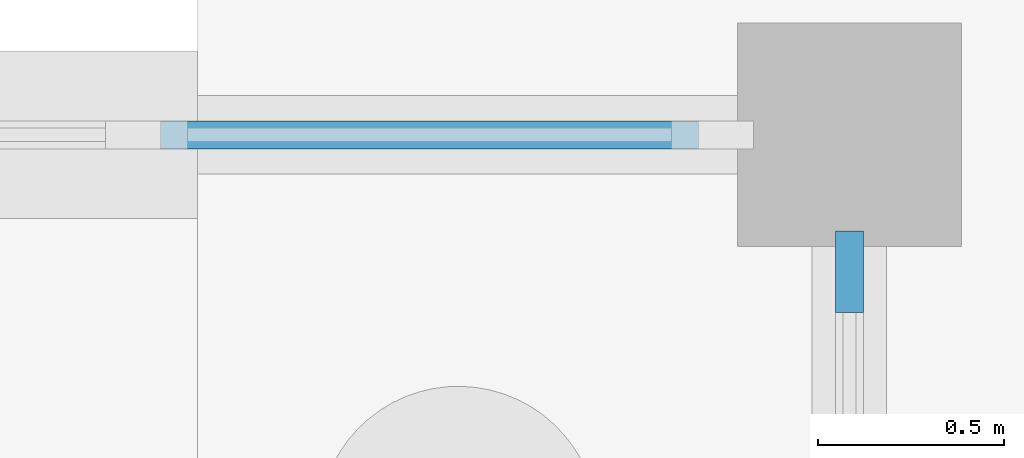
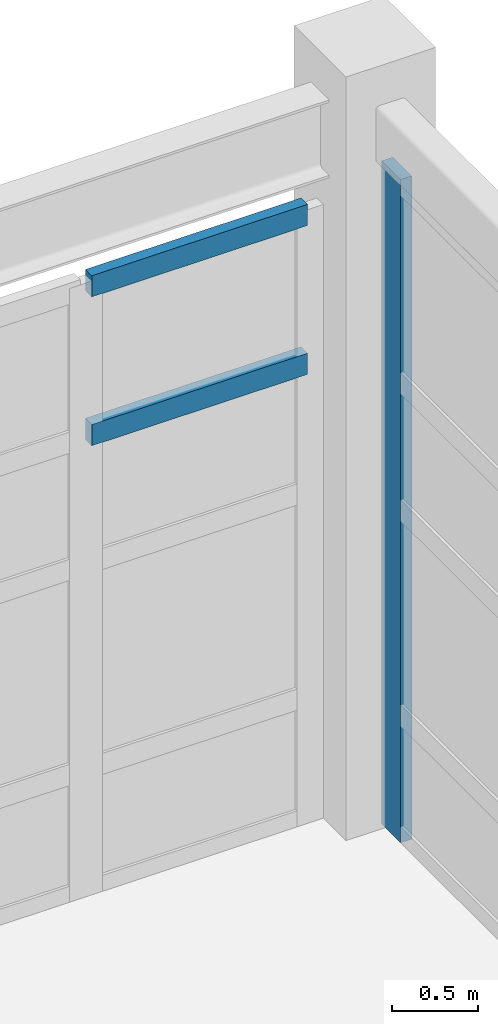
# One storey, part 78 of 145: 3 members, 2 elements without a shape of their own.
"""IFC4 building model written with IfcOpenShell, lengths in metres."""

from ifc_helpers import new_model, si_unit, direction, frame, origin, origin_2d, place, context, subcontext, project, spatial, rectangle, extrude, material, layer, layer_set, material_profile, profile_set, type_object, element, aggregate, save


model = new_model("IFC4")

# Units and contexts
model_context = context("Model", 3, precision=1e-05, world=origin(), true_north=direction((0.0, 1.0)))
body_context = subcontext(model_context, "Body", "Model", "MODEL_VIEW")
ifc_project = project(units=[si_unit("LENGTHUNIT", "METRE"), si_unit("AREAUNIT", "SQUARE_METRE"), si_unit("VOLUMEUNIT", "CUBIC_METRE"), si_unit("PLANEANGLEUNIT", "RADIAN"), si_unit("MASSUNIT", "GRAM", prefix="KILO"), si_unit("THERMODYNAMICTEMPERATUREUNIT", "KELVIN"), si_unit("POWERUNIT", "WATT")], contexts=[model_context])

# Site, building, storey
site_placement = place(None, origin())
site = spatial("IfcSite", under=ifc_project, at=site_placement, CompositionType="ELEMENT")
building_placement = place(site_placement, origin())
building = spatial("IfcBuilding", under=site, at=building_placement, Name="Korenveer Ferry Terminal", CompositionType="ELEMENT")
storey_placement = place(building_placement, origin())
storey = spatial("IfcBuildingStorey", under=building, at=storey_placement, Name="L00", CompositionType="ELEMENT", Elevation=0.0)

# Curtain wall, member
ifc_material_1 = material(Name="Unitised bronze-and-glass curtain wall", Category="glass")
ifc_layer_1 = layer(ifc_material_1, 0.219970703125)
ifc_layer_set_1 = layer_set([ifc_layer_1], Name="Unitised bronze-and-glass curtain wall")
curtain_wall_type_1 = type_object("IfcCurtainWallType", Name="ENV-CW-36", PredefinedType="USERDEFINED", material=ifc_layer_set_1)
curtain_wall_1_placement = place(storey_placement, frame((176.0, 79.669921875, 0.0)))
curtain_wall_1 = element("IfcCurtainWall", 1, at=curtain_wall_1_placement, inside=storey, type_object=curtain_wall_type_1, Name="Lancet curtain wall CWX-L00-X176-176-Y70-80", ObjectType="UNITISED CURTAIN WALL", PredefinedType="USERDEFINED")
ifc_material_2 = material(Name="Anodised bronze aluminium", Category="aluminium")
ifc_material_profile_1 = material_profile(ifc_material_2, rectangle(XDim=0.074951171875, YDim=0.219970703125, at=origin_2d()), Name="ALU 75x220")
ifc_profile_set_1 = profile_set([ifc_material_profile_1], Name="Anodised bronze aluminium")
member_type_1 = type_object("IfcMemberType", Name="ENV-CWM-75X220", PredefinedType="MULLION", material=ifc_profile_set_1)
member_1_placement = place(storey_placement, frame((176.0, 79.632568359375, 0.0), z_axis=(0.0, 0.0, 1.0), x_axis=(1.0, 0.0, 0.0)))
member_1 = element("IfcMember", 2, at=member_1_placement, type_object=member_type_1, Name="CW-36 mullion 1", PredefinedType="MULLION", context=body_context, shape_type="SweptSolid", body=[
    extrude(rectangle(XDim=0.074951171875, YDim=0.219970703125, at=origin_2d()), origin(), (0.0, 0.0, 1.0), 4.68994140625),
])
aggregate(curtain_wall_1, [member_1])

# Curtain wall, members
ifc_layer_2 = layer(ifc_material_1, 0.219970703125)
ifc_layer_set_2 = layer_set([ifc_layer_2], Name="Unitised bronze-and-glass curtain wall")
curtain_wall_type_2 = type_object("IfcCurtainWallType", Name="ENV-CW-09", PredefinedType="USERDEFINED", material=ifc_layer_set_2)
curtain_wall_2_placement = place(storey_placement, frame((166.330078125, 80.0, 0.0)))
curtain_wall_2 = element("IfcCurtainWall", 3, at=curtain_wall_2_placement, inside=storey, type_object=curtain_wall_type_2, Name="Lancet curtain wall CWX-L00-X166-176-Y80-80", ObjectType="UNITISED CURTAIN WALL", PredefinedType="USERDEFINED")
ifc_material_profile_2 = material_profile(ifc_material_2, rectangle(XDim=0.074951171875, YDim=0.14990234375, at=origin_2d()), Name="ALU 75x150")
ifc_profile_set_2 = profile_set([ifc_material_profile_2], Name="Anodised bronze aluminium")
member_type_2 = type_object("IfcMemberType", Name="ENV-CWT-75X150", PredefinedType="USERDEFINED", material=ifc_profile_set_2)
member_2_placement = place(storey_placement, frame((174.15087890625, 80.0, 3.25), z_axis=(1.0, 0.0, 0.0), x_axis=(0.0, 1.0, 0.0)))
member_2 = element("IfcMember", 4, at=member_2_placement, type_object=member_type_2, Name="CW-09 transom 6.4", ObjectType="TRANSOM", PredefinedType="USERDEFINED", context=body_context, shape_type="SweptSolid", body=[
    extrude(rectangle(XDim=0.074951171875, YDim=0.14990234375, at=origin_2d()), origin(), (0.0, 0.0, 1.0), 1.444091796875),
])
member_3_placement = place(storey_placement, frame((174.15087890625, 80.0, 4.302490234375), z_axis=(1.0, 0.0, 0.0), x_axis=(0.0, 1.0, 0.0)))
member_3 = element("IfcMember", 5, at=member_3_placement, type_object=member_type_2, Name="CW-09 transom 6.5", ObjectType="TRANSOM", PredefinedType="USERDEFINED", context=body_context, shape_type="SweptSolid", body=[
    extrude(rectangle(XDim=0.074951171875, YDim=0.14990234375, at=origin_2d()), origin(), (0.0, 0.0, 1.0), 1.444091796875),
])
aggregate(curtain_wall_2, [member_2, member_3])

save(model, "model.ifc")
